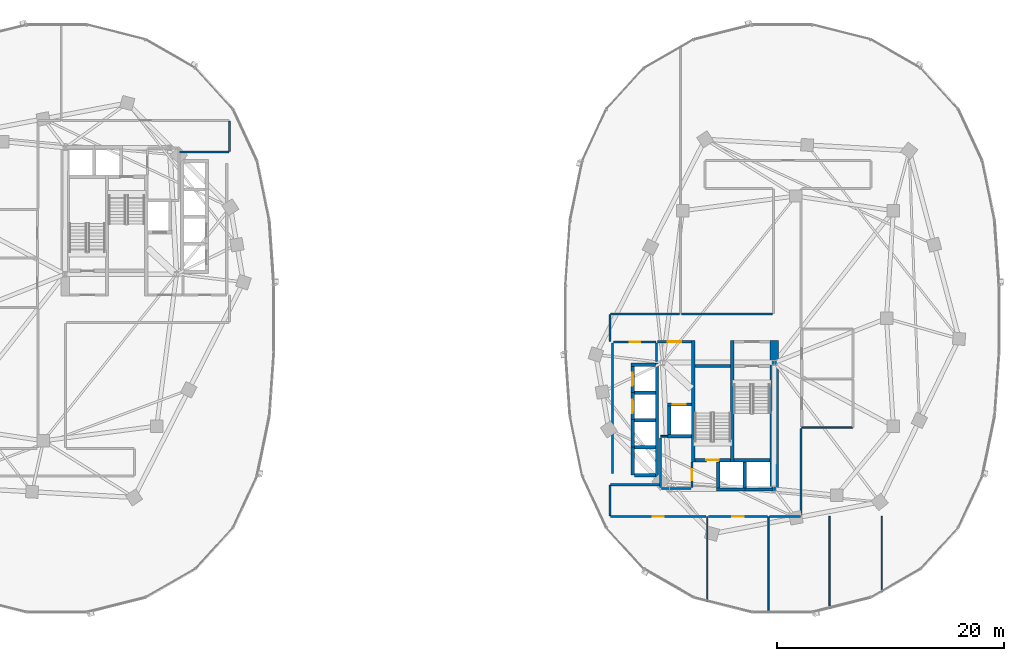
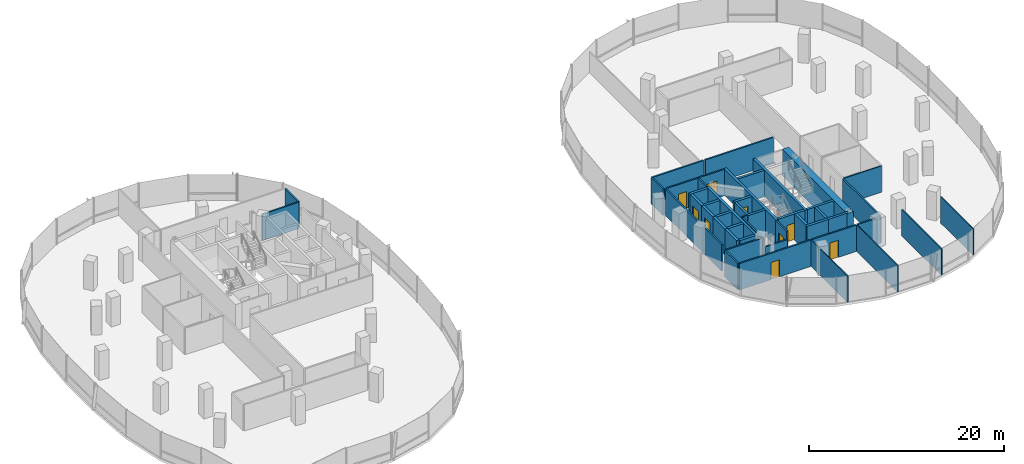
# One storey, part 12 of 20: 47 walls, 9 doors, 9 openings.
"""IFC4 building model written with IfcOpenShell, lengths in metres."""

from ifc_helpers import new_model, si_unit, direction, frame, frame_2d, origin, place, context, subcontext, project, spatial, rectangle, extrude, material, layer, layer_set, type_object, element, fill, save


model = new_model("IFC4")

# Units and contexts
model_context = context("Model", 3, precision=1e-05, world=origin(), true_north=direction((0.0, 1.0)))
body_context = subcontext(model_context, "Body", "Model", "MODEL_VIEW")
ifc_project = project(units=[si_unit("LENGTHUNIT", "METRE"), si_unit("AREAUNIT", "SQUARE_METRE"), si_unit("VOLUMEUNIT", "CUBIC_METRE"), si_unit("PLANEANGLEUNIT", "RADIAN"), si_unit("MASSUNIT", "GRAM", prefix="KILO"), si_unit("THERMODYNAMICTEMPERATUREUNIT", "KELVIN"), si_unit("POWERUNIT", "WATT")], contexts=[model_context])

# Site, building, storey
site_placement = place(None, origin())
site = spatial("IfcSite", under=ifc_project, at=site_placement, CompositionType="ELEMENT")
building_placement = place(site_placement, origin())
building = spatial("IfcBuilding", under=site, at=building_placement, Name="Cundina Bronze Exchange", CompositionType="ELEMENT")
storey_placement = place(building_placement, frame((0.0, 0.0, 125.0)))
storey = spatial("IfcBuildingStorey", under=building, at=storey_placement, Name="L32", CompositionType="ELEMENT", Elevation=125.0)

# Wall
ifc_material_1 = material(Name="Gypsum Fireboard Partition EI120")
ifc_layer_1 = layer(ifc_material_1, 0.179931640625, Name="Gypsum Fireboard Partition EI120")
ifc_layer_set_1 = layer_set([ifc_layer_1], Name="Gypsum Fireboard Partition EI120")
wall_type_1 = type_object("IfcWallType", Name="WL-COR-180", PredefinedType="PARTITIONING", material=ifc_layer_set_1)
wall_1_placement = place(storey_placement, frame((20.889892578125, -3.800048828125, 0.0), z_axis=(0.0, 0.0, 1.0), x_axis=(0.0, 1.0, 0.0)))
element("IfcWall", 1, at=wall_1_placement, inside=storey, type_object=wall_type_1, Name="L32 E Firefighting Lobby Side Wall", PredefinedType="PARTITIONING", context=body_context, shape_type="SweptSolid", body=[
    extrude(rectangle(XDim=1.650146484375, YDim=0.179931640625, at=frame_2d((0.8251953125, 0.0))), origin(), (0.0, 0.0, 1.0), 3.300048828125),
])

# Wall, opening, door
wall_2_placement = place(storey_placement, frame((20.97998046875, -2.06005859375, 0.0), z_axis=(0.0, 0.0, 1.0), x_axis=(1.0, 0.0, 0.0)))
wall_2 = element("IfcWall", 2, at=wall_2_placement, inside=storey, type_object=wall_type_1, Name="L32 E Firefighting Lobby Exit Wall", PredefinedType="PARTITIONING", context=body_context, shape_type="SweptSolid", body=[
    extrude(rectangle(XDim=3.0, YDim=0.179931640625, at=frame_2d((1.5, 0.0))), origin(), (0.0, 0.0, 1.0), 3.300048828125),
])
opening_1_placement = place(wall_2_placement, frame((0.89990234375, 0.0, 0.0)))
opening_1 = element("IfcOpeningElement", 3, at=opening_1_placement, cuts=wall_2, Name="Opening DF-01", PredefinedType="OPENING", context=body_context, shape_type="SweptSolid", body=[
    extrude(rectangle(XDim=1.199951171875, YDim=2.14990234375, at=frame_2d((0.60009765625, 1.074951171875))), frame((0.0, 0.099853515625, 0.0), z_axis=(0.0, -1.0, 0.0), x_axis=(1.0, 0.0, 0.0)), (0.0, 0.0, 1.0), 0.199951171875),
])
ifc_material_2 = material(Name="Steel ASTM A36 Painted", Category="steel")
door_type_1 = type_object("IfcDoorType", Name="DR-FFL-1200", OperationType="NOTDEFINED", PredefinedType="DOOR", material=ifc_material_2)
door_1_placement = place(opening_1_placement, origin())
door_1 = element("IfcDoor", 4, at=door_1_placement, inside=storey, type_object=door_type_1, Name="L32 E Firefighting Lobby Door", OperationType="SINGLE_SWING_LEFT", OverallHeight=2.14990234375, OverallWidth=1.199951171875, PredefinedType="DOOR", context=body_context, shape_type="SweptSolid", body=[
    extrude(rectangle(XDim=1.199951171875, YDim=2.14990234375, at=frame_2d((0.60009765625, 1.074951171875))), frame((0.0, 0.02490234375, 0.0), z_axis=(0.0, -1.0, 0.0), x_axis=(1.0, 0.0, 0.0)), (0.0, 0.0, 1.0), 0.050048828125),
])
fill(opening_1, door_1)

# Walls
wall_3_placement = place(storey_placement, frame((-21.178466796875, 14.679931640625, 0.0), z_axis=(0.0, 0.0, 1.0), x_axis=(1.0, 0.0, 0.0)))
element("IfcWall", 5, at=wall_3_placement, inside=storey, type_object=wall_type_1, Name="L32 Interior Partition 023", PredefinedType="PARTITIONING", context=body_context, shape_type="SweptSolid", body=[
    extrude(rectangle(XDim=4.35693359375, YDim=0.179931640625, at=frame_2d((2.178466796875, 0.0))), origin(), (0.0, 0.0, 1.0), 3.300048828125),
])
wall_4_placement = place(storey_placement, frame((-16.780029296875, 14.721435546875, 0.0), z_axis=(0.0, 0.0, 1.0), x_axis=(0.0, 1.0, 0.0)))
element("IfcWall", 6, at=wall_4_placement, inside=storey, type_object=wall_type_1, Name="L32 Interior Partition 024", PredefinedType="PARTITIONING", context=body_context, shape_type="SweptSolid", body=[
    extrude(rectangle(XDim=2.70703125, YDim=0.179931640625, at=frame_2d((1.353515625, 0.0))), origin(), (0.0, 0.0, 1.0), 3.300048828125),
])
wall_5_placement = place(storey_placement, frame((17.02001953125, -13.679931640625, 0.0), z_axis=(0.0, 0.0, 1.0), x_axis=(0.0, 1.0, 0.0)))
element("IfcWall", 7, at=wall_5_placement, inside=storey, type_object=wall_type_1, Name="L32 Interior Partition 029", PredefinedType="PARTITIONING", context=body_context, shape_type="SweptSolid", body=[
    extrude(rectangle(XDim=11.510009765625, YDim=0.179931640625, at=frame_2d((5.7548828125, 0.0))), origin(), (0.0, 0.0, 1.0), 3.300048828125),
])

# Wall, opening, door
wall_6_placement = place(storey_placement, frame((17.1201171875, -2.070068359375, 0.0), z_axis=(0.0, 0.0, 1.0), x_axis=(1.0, 0.0, 0.0)))
wall_6 = element("IfcWall", 8, at=wall_6_placement, inside=storey, type_object=wall_type_1, Name="L32 Interior Partition 030", PredefinedType="PARTITIONING", context=body_context, shape_type="SweptSolid", body=[
    extrude(rectangle(XDim=3.75, YDim=0.179931640625, at=frame_2d((1.875, 0.0))), origin(), (0.0, 0.0, 1.0), 3.300048828125),
])
opening_2_placement = place(wall_6_placement, frame((1.39990234375, 0.0, 0.0)))
opening_2 = element("IfcOpeningElement", 9, at=opening_2_placement, cuts=wall_6, Name="Opening DW-01", PredefinedType="OPENING", context=body_context, shape_type="SweptSolid", body=[
    extrude(rectangle(XDim=0.949951171875, YDim=2.10009765625, at=frame_2d((0.47509765625, 1.050048828125))), frame((0.0, 0.099853515625, 0.0), z_axis=(0.0, -1.0, 0.0), x_axis=(1.0, 0.0, 0.0)), (0.0, 0.0, 1.0), 0.199951171875),
])
ifc_material_3 = material(Name="Solid Andean Oak Timber Grade A", Category="wood")
door_type_2 = type_object("IfcDoorType", Name="DR-WC-950", OperationType="NOTDEFINED", PredefinedType="DOOR", material=ifc_material_3)
door_2_placement = place(opening_2_placement, origin())
door_2 = element("IfcDoor", 10, at=door_2_placement, inside=storey, type_object=door_type_2, Name="L32 Interior Door 030", OperationType="SINGLE_SWING_RIGHT", OverallHeight=2.10009765625, OverallWidth=0.949951171875, PredefinedType="DOOR", context=body_context, shape_type="SweptSolid", body=[
    extrude(rectangle(XDim=0.949951171875, YDim=2.10009765625, at=frame_2d((0.47509765625, 1.050048828125))), frame((0.0, 0.02490234375, 0.0), z_axis=(0.0, -1.0, 0.0), x_axis=(1.0, 0.0, 0.0)), (0.0, 0.0, 1.0), 0.050048828125),
])
fill(opening_2, door_2)

# Walls
wall_7_placement = place(storey_placement, frame((21.25, -14.929931640625, 0.0), z_axis=(0.0, 0.0, 1.0), x_axis=(0.0, 1.0, 0.0)))
element("IfcWall", 11, at=wall_7_placement, inside=storey, type_object=wall_type_1, Name="L32 Interior Partition 032", PredefinedType="PARTITIONING", context=body_context, shape_type="SweptSolid", body=[
    extrude(rectangle(XDim=4.35986328125, YDim=0.179931640625, at=frame_2d((2.179931640625, 0.0))), origin(), (0.0, 0.0, 1.0), 3.300048828125),
])
wall_8_placement = place(storey_placement, frame((21.35009765625, -15.030029296875, 0.0), z_axis=(0.0, 0.0, 1.0), x_axis=(1.0, 0.0, 0.0)))
element("IfcWall", 12, at=wall_8_placement, inside=storey, type_object=wall_type_1, Name="L32 Interior Partition 033", PredefinedType="PARTITIONING", context=body_context, shape_type="SweptSolid", body=[
    extrude(rectangle(XDim=2.60986328125, YDim=0.179931640625, at=frame_2d((1.304931640625, 0.0))), origin(), (0.0, 0.0, 1.0), 2.373046875),
])

# Wall, opening, door
wall_9_placement = place(storey_placement, frame((24.02001953125, -14.929931640625, 0.0), z_axis=(0.0, 0.0, 1.0), x_axis=(0.0, 1.0, 0.0)))
wall_9 = element("IfcWall", 13, at=wall_9_placement, inside=storey, type_object=wall_type_1, Name="L32 Interior Partition 034", PredefinedType="PARTITIONING", context=body_context, shape_type="SweptSolid", body=[
    extrude(rectangle(XDim=2.260009765625, YDim=0.179931640625, at=frame_2d((1.1298828125, 0.0))), origin(), (0.0, 0.0, 1.0), 3.300048828125),
])
opening_3_placement = place(wall_9_placement, frame((0.655029296875, 0.0, 0.0)))
opening_3 = element("IfcOpeningElement", 14, at=opening_3_placement, cuts=wall_9, Name="Opening DW-01", PredefinedType="OPENING", context=body_context, shape_type="SweptSolid", body=[
    extrude(rectangle(XDim=0.949951171875, YDim=2.10009765625, at=frame_2d((0.47509765625, 1.050048828125))), frame((0.0, 0.099853515625, 0.0), z_axis=(0.0, -1.0, 0.0), x_axis=(1.0, 0.0, 0.0)), (0.0, 0.0, 1.0), 0.199951171875),
])
door_3_placement = place(opening_3_placement, origin())
door_3 = element("IfcDoor", 15, at=door_3_placement, inside=storey, type_object=door_type_2, Name="L32 Interior Door 034", OperationType="SINGLE_SWING_RIGHT", OverallHeight=2.10009765625, OverallWidth=0.949951171875, PredefinedType="DOOR", context=body_context, shape_type="SweptSolid", body=[
    extrude(rectangle(XDim=0.949951171875, YDim=2.10009765625, at=frame_2d((0.47509765625, 1.050048828125))), frame((0.0, 0.02490234375, 0.0), z_axis=(0.0, -1.0, 0.0), x_axis=(1.0, 0.0, 0.0)), (0.0, 0.0, 1.0), 0.050048828125),
])
fill(opening_3, door_3)

wall_10_placement = place(storey_placement, frame((25.469970703125, -17.469970703125, 0.0), z_axis=(0.0, 0.0, 1.0), x_axis=(1.0, 0.0, 0.0)))
wall_10 = element("IfcWall", 16, at=wall_10_placement, inside=storey, type_object=wall_type_1, Name="L32 Interior Partition 047", PredefinedType="PARTITIONING", context=body_context, shape_type="SweptSolid", body=[
    extrude(rectangle(XDim=5.219970703125, YDim=0.179931640625, at=frame_2d((2.60986328125, 0.0))), origin(), (0.0, 0.0, 1.0), 3.300048828125),
])
opening_4_placement = place(wall_10_placement, frame((2.110107421875, 0.0, 0.0)))
opening_4 = element("IfcOpeningElement", 17, at=opening_4_placement, cuts=wall_10, Name="Opening DO-01", PredefinedType="OPENING", context=body_context, shape_type="SweptSolid", body=[
    extrude(rectangle(XDim=1.0, YDim=2.14990234375, at=frame_2d((0.5, 1.074951171875))), frame((0.0, 0.099853515625, 0.0), z_axis=(0.0, -1.0, 0.0), x_axis=(1.0, 0.0, 0.0)), (0.0, 0.0, 1.0), 0.199951171875),
])
door_type_3 = type_object("IfcDoorType", Name="DR-OFF-1000", OperationType="NOTDEFINED", PredefinedType="DOOR", material=ifc_material_3)
door_4_placement = place(opening_4_placement, origin())
door_4 = element("IfcDoor", 18, at=door_4_placement, inside=storey, type_object=door_type_3, Name="L32 Interior Door 047", OperationType="SINGLE_SWING_RIGHT", OverallHeight=2.14990234375, OverallWidth=1.0, PredefinedType="DOOR", context=body_context, shape_type="SweptSolid", body=[
    extrude(rectangle(XDim=1.0, YDim=2.14990234375, at=frame_2d((0.5, 1.074951171875))), frame((0.0, 0.02490234375, 0.0), z_axis=(0.0, -1.0, 0.0), x_axis=(1.0, 0.0, 0.0)), (0.0, 0.0, 1.0), 0.050048828125),
])
fill(opening_4, door_4)

wall_11_placement = place(storey_placement, frame((16.821533203125, -17.469970703125, 0.0), z_axis=(0.0, 0.0, 1.0), x_axis=(1.0, 0.0, 0.0)))
wall_11 = element("IfcWall", 19, at=wall_11_placement, inside=storey, type_object=wall_type_1, Name="L32 Interior Partition 048", PredefinedType="PARTITIONING", context=body_context, shape_type="SweptSolid", body=[
    extrude(rectangle(XDim=8.468505859375, YDim=0.179931640625, at=frame_2d((4.234375, 0.0))), origin(), (0.0, 0.0, 1.0), 3.300048828125),
])
opening_5_placement = place(wall_11_placement, frame((3.734130859375, 0.0, 0.0)))
opening_5 = element("IfcOpeningElement", 20, at=opening_5_placement, cuts=wall_11, Name="Opening DO-01", PredefinedType="OPENING", context=body_context, shape_type="SweptSolid", body=[
    extrude(rectangle(XDim=1.0, YDim=2.14990234375, at=frame_2d((0.5, 1.074951171875))), frame((0.0, 0.099853515625, 0.0), z_axis=(0.0, -1.0, 0.0), x_axis=(1.0, 0.0, 0.0)), (0.0, 0.0, 1.0), 0.199951171875),
])
door_5_placement = place(opening_5_placement, origin())
door_5 = element("IfcDoor", 21, at=door_5_placement, inside=storey, type_object=door_type_3, Name="L32 Interior Door 048", OperationType="SINGLE_SWING_LEFT", OverallHeight=2.14990234375, OverallWidth=1.0, PredefinedType="DOOR", context=body_context, shape_type="SweptSolid", body=[
    extrude(rectangle(XDim=1.0, YDim=2.14990234375, at=frame_2d((0.5, 1.074951171875))), frame((0.0, 0.02490234375, 0.0), z_axis=(0.0, -1.0, 0.0), x_axis=(1.0, 0.0, 0.0)), (0.0, 0.0, 1.0), 0.050048828125),
])
fill(opening_5, door_5)

# Walls
wall_12_placement = place(storey_placement, frame((22.919921875, 0.3701171875, 0.0), z_axis=(0.0, 0.0, 1.0), x_axis=(-1.0, 0.0, 0.0)))
element("IfcWall", 22, at=wall_12_placement, inside=storey, type_object=wall_type_1, Name="L32 Interior Partition 049", PredefinedType="PARTITIONING", context=body_context, shape_type="SweptSolid", body=[
    extrude(rectangle(XDim=6.098388671875, YDim=0.179931640625, at=frame_2d((3.04931640625, 0.0))), origin(), (0.0, 0.0, 1.0), 3.300048828125),
])
wall_13_placement = place(storey_placement, frame((21.178466796875, -14.679931640625, 0.0), z_axis=(0.0, 0.0, 1.0), x_axis=(-1.0, 0.0, 0.0)))
element("IfcWall", 23, at=wall_13_placement, inside=storey, type_object=wall_type_1, Name="L32 Interior Partition 050", PredefinedType="PARTITIONING", context=body_context, shape_type="SweptSolid", body=[
    extrude(rectangle(XDim=4.35693359375, YDim=0.179931640625, at=frame_2d((2.178466796875, 0.0))), origin(), (0.0, 0.0, 1.0), 3.300048828125),
])
wall_14_placement = place(storey_placement, frame((16.780029296875, -14.721435546875, 0.0), z_axis=(0.0, 0.0, 1.0), x_axis=(0.0, -1.0, 0.0)))
element("IfcWall", 24, at=wall_14_placement, inside=storey, type_object=wall_type_1, Name="L32 Interior Partition 051", PredefinedType="PARTITIONING", context=body_context, shape_type="SweptSolid", body=[
    extrude(rectangle(XDim=2.70703125, YDim=0.179931640625, at=frame_2d((1.353515625, 0.0))), origin(), (0.0, 0.0, 1.0), 3.300048828125),
])
wall_15_placement = place(storey_placement, frame((16.780029296875, 0.32861328125, 0.0), z_axis=(0.0, 0.0, 1.0), x_axis=(0.0, -1.0, 0.0)))
element("IfcWall", 25, at=wall_15_placement, inside=storey, type_object=wall_type_1, Name="L32 Interior Partition 052", PredefinedType="PARTITIONING", context=body_context, shape_type="SweptSolid", body=[
    extrude(rectangle(XDim=2.38720703125, YDim=0.179931640625, at=frame_2d((1.193603515625, 0.0))), origin(), (0.0, 0.0, 1.0), 3.300048828125),
])
wall_16_placement = place(storey_placement, frame((31.14990234375, 0.3701171875, 0.0), z_axis=(0.0, 0.0, 1.0), x_axis=(-1.0, 0.0, 0.0)))
element("IfcWall", 26, at=wall_16_placement, inside=storey, type_object=wall_type_1, Name="L32 Interior Partition 056", PredefinedType="PARTITIONING", context=body_context, shape_type="SweptSolid", body=[
    extrude(rectangle(XDim=8.0498046875, YDim=0.179931640625, at=frame_2d((4.02490234375, 0.0))), origin(), (0.0, 0.0, 1.0), 3.300048828125),
])
wall_17_placement = place(storey_placement, frame((33.669921875, -17.428466796875, 0.0), z_axis=(0.0, 0.0, 1.0), x_axis=(0.0, 1.0, 0.0)))
element("IfcWall", 27, at=wall_17_placement, inside=storey, type_object=wall_type_1, Name="L32 Interior Partition 057", PredefinedType="PARTITIONING", context=body_context, shape_type="SweptSolid", body=[
    extrude(rectangle(XDim=7.72705078125, YDim=0.179931640625, at=frame_2d((3.863525390625, 0.0))), origin(), (0.0, 0.0, 1.0), 3.300048828125),
])
wall_18_placement = place(storey_placement, frame((30.8701171875, -17.469970703125, 0.0), z_axis=(0.0, 0.0, 1.0), x_axis=(1.0, 0.0, 0.0)))
element("IfcWall", 28, at=wall_18_placement, inside=storey, type_object=wall_type_1, Name="L32 Interior Partition 060", PredefinedType="PARTITIONING", context=body_context, shape_type="SweptSolid", body=[
    extrude(rectangle(XDim=2.75830078125, YDim=0.179931640625, at=frame_2d((1.379150390625, 0.0))), origin(), (0.0, 0.0, 1.0), 3.300048828125),
])
ifc_material_4 = material(Name="Concrete C60/75", Category="concrete")
ifc_layer_2 = layer(ifc_material_4, 0.75, Name="Concrete C60/75", Category="concrete")
ifc_layer_set_2 = layer_set([ifc_layer_2], Name="Concrete C60/75")
wall_type_2 = type_object("IfcWallType", Name="WL-CORE-750", PredefinedType="SHEAR", material=ifc_layer_set_2)
wall_19_placement = place(storey_placement, frame((31.27490234375, -15.300048828125, 0.0), z_axis=(0.0, 0.0, 1.0), x_axis=(0.0, 1.0, 0.0)))
element("IfcWall", 29, at=wall_19_placement, inside=storey, type_object=wall_type_2, Name="L32 E Primary Core Shear Spine Wall", PredefinedType="SHEAR", context=body_context, shape_type="SweptSolid", body=[
    extrude(rectangle(XDim=13.330078125, YDim=0.75, at=frame_2d((6.6650390625, 0.0))), origin(), (0.0, 0.0, 1.0), 3.300048828125),
])
ifc_material_5 = material(Name="Gypsum Acoustic Partition EI60")
ifc_layer_3 = layer(ifc_material_5, 0.125, Name="Gypsum Acoustic Partition EI60")
ifc_layer_set_3 = layer_set([ifc_layer_3], Name="Gypsum Acoustic Partition EI60")
wall_type_3 = type_object("IfcWallType", Name="WL-OFF-125", PredefinedType="PARTITIONING", material=ifc_layer_set_3)
wall_20_placement = place(storey_placement, frame((25.3798828125, -24.99462890625, 0.0), z_axis=(0.0, 0.0, 1.0), x_axis=(0.0, 1.0, 0.0)))
element("IfcWall", 30, at=wall_20_placement, inside=storey, type_object=wall_type_3, Name="L32 Interior Partition 043", PredefinedType="PARTITIONING", context=body_context, shape_type="SweptSolid", body=[
    extrude(rectangle(XDim=7.49462890625, YDim=0.125, at=frame_2d((3.747314453125, 0.0))), origin(), (0.0, 0.0, 1.0), 3.300048828125),
])
wall_21_placement = place(storey_placement, frame((30.780029296875, -25.985107421875, 0.0), z_axis=(0.0, 0.0, 1.0), x_axis=(0.0, 1.0, 0.0)))
element("IfcWall", 31, at=wall_21_placement, inside=storey, type_object=wall_type_3, Name="L32 Interior Partition 044", PredefinedType="PARTITIONING", context=body_context, shape_type="SweptSolid", body=[
    extrude(rectangle(XDim=8.485107421875, YDim=0.125, at=frame_2d((4.24267578125, 0.0))), origin(), (0.0, 0.0, 1.0), 3.300048828125),
])
wall_22_placement = place(storey_placement, frame((36.179931640625, -25.611572265625, 0.0), z_axis=(0.0, 0.0, 1.0), x_axis=(0.0, 1.0, 0.0)))
element("IfcWall", 32, at=wall_22_placement, inside=storey, type_object=wall_type_3, Name="L32 Interior Partition 045", PredefinedType="PARTITIONING", context=body_context, shape_type="SweptSolid", body=[
    extrude(rectangle(XDim=8.1416015625, YDim=0.125, at=frame_2d((4.07080078125, 0.0))), origin(), (0.0, 0.0, 1.0), 3.300048828125),
])
wall_23_placement = place(storey_placement, frame((40.780029296875, -24.151611328125, 0.0), z_axis=(0.0, 0.0, 1.0), x_axis=(0.0, 1.0, 0.0)))
element("IfcWall", 33, at=wall_23_placement, inside=storey, type_object=wall_type_3, Name="L32 Interior Partition 046", PredefinedType="PARTITIONING", context=body_context, shape_type="SweptSolid", body=[
    extrude(rectangle(XDim=6.681640625, YDim=0.125, at=frame_2d((3.3408203125, 0.0))), origin(), (0.0, 0.0, 1.0), 3.300048828125),
])
ifc_material_6 = material(Name="Concrete C50/60", Category="concrete")
ifc_layer_4 = layer(ifc_material_6, 0.300048828125, Name="Concrete C50/60", Category="concrete")
ifc_layer_set_4 = layer_set([ifc_layer_4], Name="Concrete C50/60")
wall_type_4 = type_object("IfcWallType", Name="WL-SHFT-300", PredefinedType="SHEAR", material=ifc_layer_set_4)
for number, where, z_axis, x_axis, name in (
    (34, (27.590087890625, -12.64990234375, 0.0), (0.0, 0.0, 1.0), (0.0, 1.0, 0.0), "L32 E Stair Shaft Dividing Shear Wall"),
    (35, (24.1298828125, -12.64990234375, 0.0), (0.0, 0.0, 1.0), (0.0, 1.0, 0.0), "L32 E Stair 2 East Shear Wall"),
):
    element("IfcWall", number, at=place(storey_placement, frame(where, z_axis=z_axis, x_axis=x_axis)), inside=storey, type_object=wall_type_4, Name=name, PredefinedType="SHEAR", context=body_context, shape_type="SweptSolid", body=[
        extrude(rectangle(XDim=10.679931640625, YDim=0.300048828125, at=frame_2d((5.33984375, 0.0))), origin(), (0.0, 0.0, 1.0), 3.300048828125),
    ])
wall_24_placement = place(storey_placement, frame((27.739990234375, -12.5, 0.0), z_axis=(0.0, 0.0, 1.0), x_axis=(1.0, 0.0, 0.0)))
element("IfcWall", 36, at=wall_24_placement, inside=storey, type_object=wall_type_4, Name="L32 Stair E1 Far Shaft Wall", PredefinedType="SHEAR", context=body_context, shape_type="SweptSolid", body=[
    extrude(rectangle(XDim=3.159912109375, YDim=0.300048828125, at=frame_2d((1.580078125, 0.0))), origin(), (0.0, 0.0, 1.0), 3.300048828125),
])

# Wall, opening, door
wall_25_placement = place(storey_placement, frame((24.280029296875, -12.5, 0.0), z_axis=(0.0, 0.0, 1.0), x_axis=(1.0, 0.0, 0.0)))
wall_25 = element("IfcWall", 37, at=wall_25_placement, inside=storey, type_object=wall_type_4, Name="L32 Stair E2 Landing Wall", PredefinedType="SHEAR", context=body_context, shape_type="SweptSolid", body=[
    extrude(rectangle(XDim=3.159912109375, YDim=0.300048828125, at=frame_2d((1.580078125, 0.0))), origin(), (0.0, 0.0, 1.0), 3.300048828125),
])
opening_6_placement = place(wall_25_placement, frame((1.030029296875, 0.0, 0.0)))
opening_6 = element("IfcOpeningElement", 38, at=opening_6_placement, cuts=wall_25, Name="Opening DS-01", PredefinedType="OPENING", context=body_context, shape_type="SweptSolid", body=[
    extrude(rectangle(XDim=1.10009765625, YDim=2.14990234375, at=frame_2d((0.550048828125, 1.074951171875))), frame((0.0, 0.159912109375, 0.0), z_axis=(0.0, -1.0, 0.0), x_axis=(1.0, 0.0, 0.0)), (0.0, 0.0, 1.0), 0.320068359375),
])
door_type_4 = type_object("IfcDoorType", Name="DR-STR-1100", OperationType="NOTDEFINED", PredefinedType="DOOR", material=ifc_material_2)
door_6_placement = place(opening_6_placement, origin())
door_6 = element("IfcDoor", 39, at=door_6_placement, inside=storey, type_object=door_type_4, Name="L32 Smokeproof Stair E2 Door", OperationType="SINGLE_SWING_RIGHT", OverallHeight=2.14990234375, OverallWidth=1.10009765625, PredefinedType="DOOR", context=body_context, shape_type="SweptSolid", body=[
    extrude(rectangle(XDim=1.10009765625, YDim=2.14990234375, at=frame_2d((0.550048828125, 1.074951171875))), frame((0.0, 0.02490234375, 0.0), z_axis=(0.0, -1.0, 0.0), x_axis=(1.0, 0.0, 0.0)), (0.0, 0.0, 1.0), 0.050048828125),
])
fill(opening_6, door_6)

# Wall
wall_26_placement = place(storey_placement, frame((24.280029296875, -4.199951171875, 0.0), z_axis=(0.0, 0.0, 1.0), x_axis=(1.0, 0.0, 0.0)))
element("IfcWall", 40, at=wall_26_placement, inside=storey, type_object=wall_type_4, Name="L32 Stair E2 Far Shaft Wall", PredefinedType="SHEAR", context=body_context, shape_type="SweptSolid", body=[
    extrude(rectangle(XDim=3.159912109375, YDim=0.300048828125, at=frame_2d((1.580078125, 0.0))), origin(), (0.0, 0.0, 1.0), 3.300048828125),
])

# Wall, opening, door
wall_27_placement = place(storey_placement, frame((21.8798828125, -7.60009765625, 0.0), z_axis=(0.0, 0.0, 1.0), x_axis=(1.0, 0.0, 0.0)))
wall_27 = element("IfcWall", 41, at=wall_27_placement, inside=storey, type_object=wall_type_4, Name="L32 FFL-E Hoistway Front Wall", PredefinedType="SHEAR", context=body_context, shape_type="SweptSolid", body=[
    extrude(rectangle(XDim=2.10009765625, YDim=0.300048828125, at=frame_2d((1.050048828125, 0.0))), origin(), (0.0, 0.0, 1.0), 3.300048828125),
])
opening_7_placement = place(wall_27_placement, frame((0.47509765625, 0.0, 0.0)))
opening_7 = element("IfcOpeningElement", 42, at=opening_7_placement, cuts=wall_27, Name="Opening LD-01", PredefinedType="OPENING", context=body_context, shape_type="SweptSolid", body=[
    extrude(rectangle(XDim=1.14990234375, YDim=2.199951171875, at=frame_2d((0.574951171875, 1.10009765625))), frame((0.0, 0.159912109375, 0.0), z_axis=(0.0, -1.0, 0.0), x_axis=(1.0, 0.0, 0.0)), (0.0, 0.0, 1.0), 0.320068359375),
])
door_type_5 = type_object("IfcDoorType", Name="DR-LND-1150", OperationType="NOTDEFINED", PredefinedType="TRAPDOOR", material=ifc_material_2)
door_7_placement = place(opening_7_placement, origin())
door_7 = element("IfcDoor", 43, at=door_7_placement, inside=storey, type_object=door_type_5, Name="L32 FFL-E Sliding Landing Door", OperationType="SLIDING_TO_LEFT", OverallHeight=2.199951171875, OverallWidth=1.14990234375, PredefinedType="TRAPDOOR", context=body_context, shape_type="SweptSolid", body=[
    extrude(rectangle(XDim=1.14990234375, YDim=2.199951171875, at=frame_2d((0.574951171875, 1.10009765625))), frame((0.0, 0.02490234375, 0.0), z_axis=(0.0, -1.0, 0.0), x_axis=(1.0, 0.0, 0.0)), (0.0, 0.0, 1.0), 0.050048828125),
])
fill(opening_7, door_7)

# Walls
wall_28_placement = place(storey_placement, frame((21.8798828125, -10.39990234375, 0.0), z_axis=(0.0, 0.0, 1.0), x_axis=(1.0, 0.0, 0.0)))
element("IfcWall", 44, at=wall_28_placement, inside=storey, type_object=wall_type_4, Name="L32 FFL-E Hoistway Back Wall", PredefinedType="SHEAR", context=body_context, shape_type="SweptSolid", body=[
    extrude(rectangle(XDim=2.10009765625, YDim=0.300048828125, at=frame_2d((1.050048828125, 0.0))), origin(), (0.0, 0.0, 1.0), 3.300048828125),
])
for number, where, z_axis, x_axis, name in (
    (45, (22.030029296875, -10.25, 0.0), (0.0, 0.0, 1.0), (0.0, 1.0, 0.0), "L32 FFL-E Hoistway Side Wall"),
    (46, (28.699951171875, -15.10009765625, 0.0), (0.0, 0.0, 1.0), (1.0, 0.0, 0.0), "L32 PH-E1 Hoistway Front Wall"),
):
    element("IfcWall", number, at=place(storey_placement, frame(where, z_axis=z_axis, x_axis=x_axis)), inside=storey, type_object=wall_type_4, Name=name, PredefinedType="SHEAR", context=body_context, shape_type="SweptSolid", body=[
        extrude(rectangle(XDim=2.5, YDim=0.300048828125, at=frame_2d((1.25, 0.0))), origin(), (0.0, 0.0, 1.0), 3.300048828125),
    ])
wall_29_placement = place(storey_placement, frame((28.699951171875, -14.949951171875, 0.0), z_axis=(0.0, 0.0, 1.0), x_axis=(0.0, 1.0, 0.0)))
element("IfcWall", 47, at=wall_29_placement, inside=storey, type_object=wall_type_4, Name="L32 PH-E1 Hoistway Divider Wall", PredefinedType="SHEAR", context=body_context, shape_type="SweptSolid", body=[
    extrude(rectangle(XDim=2.300048828125, YDim=0.300048828125, at=frame_2d((1.14990234375, 0.0))), origin(), (0.0, 0.0, 1.0), 3.300048828125),
])
wall_30_placement = place(storey_placement, frame((26.199951171875, -15.10009765625, 0.0), z_axis=(0.0, 0.0, 1.0), x_axis=(1.0, 0.0, 0.0)))
element("IfcWall", 48, at=wall_30_placement, inside=storey, type_object=wall_type_4, Name="L32 PH-E2 Hoistway Front Wall", PredefinedType="SHEAR", context=body_context, shape_type="SweptSolid", body=[
    extrude(rectangle(XDim=2.5, YDim=0.300048828125, at=frame_2d((1.25, 0.0))), origin(), (0.0, 0.0, 1.0), 3.300048828125),
])
wall_31_placement = place(storey_placement, frame((26.35009765625, -14.949951171875, 0.0), z_axis=(0.0, 0.0, 1.0), x_axis=(0.0, 1.0, 0.0)))
element("IfcWall", 49, at=wall_31_placement, inside=storey, type_object=wall_type_4, Name="L32 PH-E2 Hoistway Divider Wall", PredefinedType="SHEAR", context=body_context, shape_type="SweptSolid", body=[
    extrude(rectangle(XDim=2.300048828125, YDim=0.300048828125, at=frame_2d((1.14990234375, 0.0))), origin(), (0.0, 0.0, 1.0), 3.300048828125),
])
wall_32_placement = place(storey_placement, frame((20.949951171875, -14.0, 0.0), z_axis=(0.0, 0.0, 1.0), x_axis=(0.0, 1.0, 0.0)))
element("IfcWall", 50, at=wall_32_placement, inside=storey, type_object=wall_type_4, Name="L32 E Passenger Bank Hoistway Back Wall", PredefinedType="SHEAR", context=body_context, shape_type="SweptSolid", body=[
    extrude(rectangle(XDim=10.050048828125, YDim=0.300048828125, at=frame_2d((5.02490234375, 0.0))), origin(), (0.0, 0.0, 1.0), 3.300048828125),
])
wall_33_placement = place(storey_placement, frame((18.949951171875, -13.85009765625, 0.0), z_axis=(0.0, 0.0, 1.0), x_axis=(1.0, 0.0, 0.0)))
element("IfcWall", 51, at=wall_33_placement, inside=storey, type_object=wall_type_4, Name="L32 E Passenger Bank South Cap Wall", PredefinedType="SHEAR", context=body_context, shape_type="SweptSolid", body=[
    extrude(rectangle(XDim=1.85009765625, YDim=0.300048828125, at=frame_2d((0.925048828125, 0.0))), origin(), (0.0, 0.0, 1.0), 3.300048828125),
])
wall_34_placement = place(storey_placement, frame((18.64990234375, -4.10009765625, 0.0), z_axis=(0.0, 0.0, 1.0), x_axis=(1.0, 0.0, 0.0)))
element("IfcWall", 52, at=wall_34_placement, inside=storey, type_object=wall_type_4, Name="L32 E Passenger Bank North Cap Wall", PredefinedType="SHEAR", context=body_context, shape_type="SweptSolid", body=[
    extrude(rectangle(XDim=2.150146484375, YDim=0.300048828125, at=frame_2d((1.0751953125, 0.0))), origin(), (0.0, 0.0, 1.0), 3.300048828125),
])
for number, where, z_axis, x_axis, name in (
    (53, (18.949951171875, -11.375, 0.0), (0.0, 0.0, 1.0), (1.0, 0.0, 0.0), "L32 E Passenger Hoistway Divider 1"),
    (54, (18.949951171875, -8.97509765625, 0.0), (0.0, 0.0, 1.0), (1.0, 0.0, 0.0), "L32 E Passenger Hoistway Divider 2"),
    (55, (18.949951171875, -6.574951171875, 0.0), (0.0, 0.0, 1.0), (1.0, 0.0, 0.0), "L32 E Passenger Hoistway Divider 3"),
):
    element("IfcWall", number, at=place(storey_placement, frame(where, z_axis=z_axis, x_axis=x_axis)), inside=storey, type_object=wall_type_4, Name=name, PredefinedType="SHEAR", context=body_context, shape_type="SweptSolid", body=[
        extrude(rectangle(XDim=1.85009765625, YDim=0.300048828125, at=frame_2d((0.925048828125, 0.0))), origin(), (0.0, 0.0, 1.0), 3.300048828125),
    ])
for number, where, z_axis, x_axis, name in (
    (56, (18.800048828125, -13.820068359375, 0.0), (0.0, 0.0, 1.0), (0.0, 1.0, 0.0), "L32 PM-E1 Hoistway Front Wall"),
    (57, (18.800048828125, -11.419921875, 0.0), (0.0, 0.0, 1.0), (0.0, 1.0, 0.0), "L32 PM-E2 Hoistway Front Wall"),
):
    element("IfcWall", number, at=place(storey_placement, frame(where, z_axis=z_axis, x_axis=x_axis)), inside=storey, type_object=wall_type_4, Name=name, PredefinedType="SHEAR", context=body_context, shape_type="SweptSolid", body=[
        extrude(rectangle(XDim=2.489990234375, YDim=0.300048828125, at=frame_2d((1.2451171875, 0.0))), origin(), (0.0, 0.0, 1.0), 3.300048828125),
    ])

# Wall, opening, door
wall_35_placement = place(storey_placement, frame((18.800048828125, -9.02001953125, 0.0), z_axis=(0.0, 0.0, 1.0), x_axis=(0.0, 1.0, 0.0)))
wall_35 = element("IfcWall", 58, at=wall_35_placement, inside=storey, type_object=wall_type_4, Name="L32 PL-E1 Hoistway Front Wall", PredefinedType="SHEAR", context=body_context, shape_type="SweptSolid", body=[
    extrude(rectangle(XDim=2.489990234375, YDim=0.300048828125, at=frame_2d((1.2451171875, 0.0))), origin(), (0.0, 0.0, 1.0), 3.300048828125),
])
opening_8_placement = place(wall_35_placement, frame((0.669921875, 0.0, 0.0)))
opening_8 = element("IfcOpeningElement", 59, at=opening_8_placement, cuts=wall_35, Name="Opening LD-01", PredefinedType="OPENING", context=body_context, shape_type="SweptSolid", body=[
    extrude(rectangle(XDim=1.14990234375, YDim=2.199951171875, at=frame_2d((0.574951171875, 1.10009765625))), frame((0.0, 0.159912109375, 0.0), z_axis=(0.0, -1.0, 0.0), x_axis=(1.0, 0.0, 0.0)), (0.0, 0.0, 1.0), 0.320068359375),
])
door_8_placement = place(opening_8_placement, origin())
door_8 = element("IfcDoor", 60, at=door_8_placement, inside=storey, type_object=door_type_5, Name="L32 PL-E1 Sliding Landing Door", OperationType="SLIDING_TO_LEFT", OverallHeight=2.199951171875, OverallWidth=1.14990234375, PredefinedType="TRAPDOOR", context=body_context, shape_type="SweptSolid", body=[
    extrude(rectangle(XDim=1.14990234375, YDim=2.199951171875, at=frame_2d((0.574951171875, 1.10009765625))), frame((0.0, 0.02490234375, 0.0), z_axis=(0.0, -1.0, 0.0), x_axis=(1.0, 0.0, 0.0)), (0.0, 0.0, 1.0), 0.050048828125),
])
fill(opening_8, door_8)

wall_36_placement = place(storey_placement, frame((18.800048828125, -6.6201171875, 0.0), z_axis=(0.0, 0.0, 1.0), x_axis=(0.0, 1.0, 0.0)))
wall_36 = element("IfcWall", 61, at=wall_36_placement, inside=storey, type_object=wall_type_4, Name="L32 PL-E2 Hoistway Front Wall", PredefinedType="SHEAR", context=body_context, shape_type="SweptSolid", body=[
    extrude(rectangle(XDim=2.490234375, YDim=0.300048828125, at=frame_2d((1.2451171875, 0.0))), origin(), (0.0, 0.0, 1.0), 3.300048828125),
])
opening_9_placement = place(wall_36_placement, frame((0.669921875, 0.0, 0.0)))
opening_9 = element("IfcOpeningElement", 62, at=opening_9_placement, cuts=wall_36, Name="Opening LD-01", PredefinedType="OPENING", context=body_context, shape_type="SweptSolid", body=[
    extrude(rectangle(XDim=1.14990234375, YDim=2.199951171875, at=frame_2d((0.574951171875, 1.10009765625))), frame((0.0, 0.159912109375, 0.0), z_axis=(0.0, -1.0, 0.0), x_axis=(1.0, 0.0, 0.0)), (0.0, 0.0, 1.0), 0.320068359375),
])
door_9_placement = place(opening_9_placement, origin())
door_9 = element("IfcDoor", 63, at=door_9_placement, inside=storey, type_object=door_type_5, Name="L32 PL-E2 Sliding Landing Door", OperationType="SLIDING_TO_LEFT", OverallHeight=2.199951171875, OverallWidth=1.14990234375, PredefinedType="TRAPDOOR", context=body_context, shape_type="SweptSolid", body=[
    extrude(rectangle(XDim=1.14990234375, YDim=2.199951171875, at=frame_2d((0.574951171875, 1.10009765625))), frame((0.0, 0.02490234375, 0.0), z_axis=(0.0, -1.0, 0.0), x_axis=(1.0, 0.0, 0.0)), (0.0, 0.0, 1.0), 0.050048828125),
])
fill(opening_9, door_9)

# Walls
ifc_material_7 = material(Name="Moisture-Resistant Masonry Block Grade M15", Category="masonry")
ifc_layer_5 = layer(ifc_material_7, 0.139892578125, Name="Moisture-Resistant Masonry Block Grade M15", Category="masonry")
ifc_layer_set_5 = layer_set([ifc_layer_5], Name="Moisture-Resistant Masonry Block Grade M15")
wall_type_5 = type_object("IfcWallType", Name="WL-WET-140", PredefinedType="PARTITIONING", material=ifc_layer_set_5)
wall_37_placement = place(storey_placement, frame((21.27001953125, -10.39990234375, 0.0), z_axis=(0.0, 0.0, 1.0), x_axis=(1.0, 0.0, 0.0)))
element("IfcWall", 64, at=wall_37_placement, inside=storey, type_object=wall_type_5, Name="L32 Interior Partition 031", PredefinedType="PARTITIONING", context=body_context, shape_type="SweptSolid", body=[
    extrude(rectangle(XDim=0.590087890625, YDim=0.139892578125, at=frame_2d((0.294921875, 0.0))), origin(), (0.0, 0.0, 1.0), 3.300048828125),
])
wall_38_placement = place(storey_placement, frame((33.739990234375, -9.610107421875, 0.0), z_axis=(0.0, 0.0, 1.0), x_axis=(1.0, 0.0, 0.0)))
element("IfcWall", 65, at=wall_38_placement, inside=storey, type_object=wall_type_5, Name="L32 Interior Partition 039", PredefinedType="PARTITIONING", context=body_context, shape_type="SweptSolid", body=[
    extrude(rectangle(XDim=4.47998046875, YDim=0.139892578125, at=frame_2d((2.239990234375, 0.0))), origin(), (0.0, 0.0, 1.0), 3.300048828125),
])

save(model, "model.ifc")
